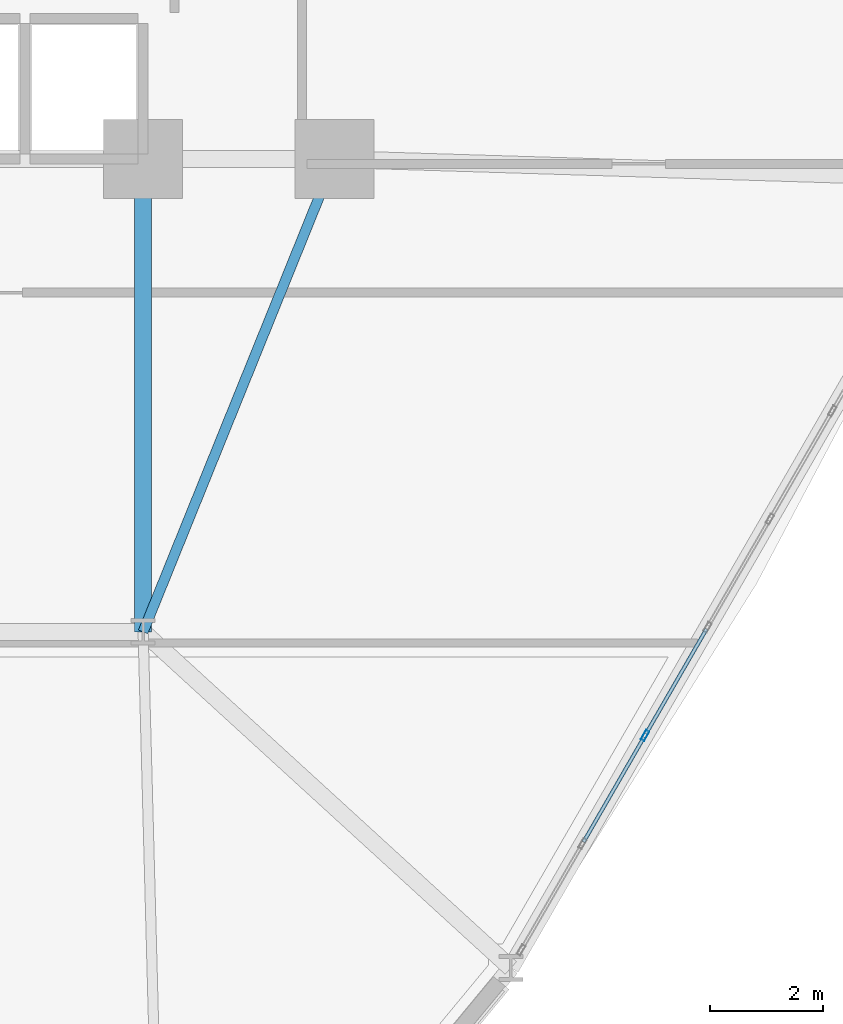
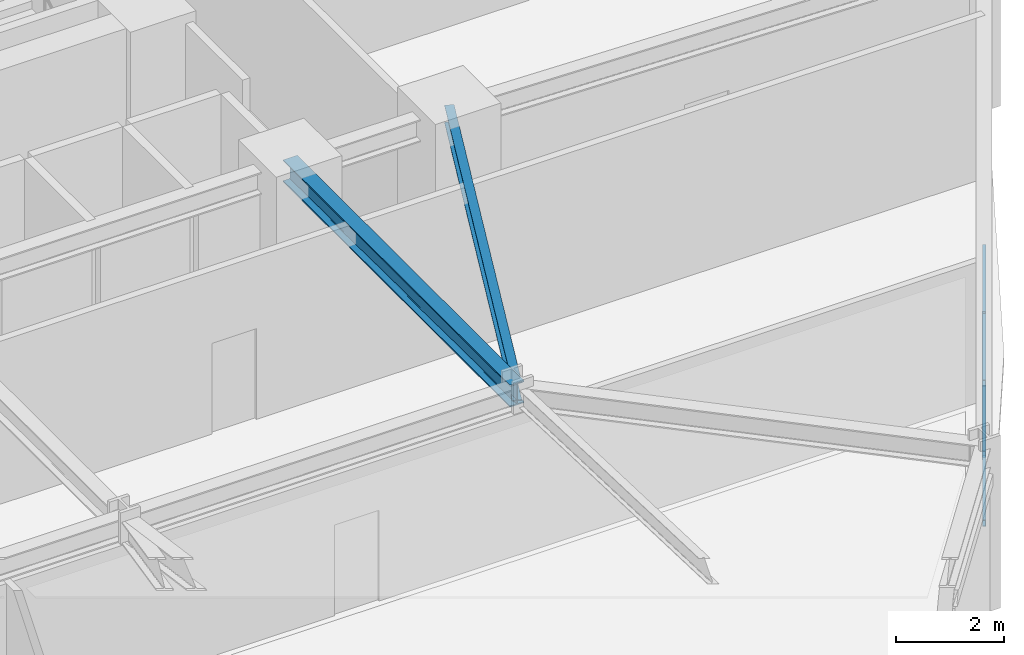
# One storey, part 7 of 21: 5 members, 2 beams, 1 element without a shape of its own.
"""IFC4 building model written with IfcOpenShell, lengths in metres."""

from ifc_helpers import new_model, si_unit, derived_unit, direction, frame, origin, origin_2d, place, context, subcontext, project, spatial, hollow_rectangle, i_section, extrude, source, transform, mapped, material, layer, layer_set, material_profile, profile_set, type_object, element, aggregate, save


model = new_model("IFC4")

# Units and contexts
model_context = context("Model", 3, precision=1e-05, world=origin(), true_north=direction((0.0, 1.0)))
body_context = subcontext(model_context, "Body", "Model", "MODEL_VIEW")
ifc_project = project(units=[si_unit("LENGTHUNIT", "METRE"), si_unit("AREAUNIT", "SQUARE_METRE"), si_unit("VOLUMEUNIT", "CUBIC_METRE"), si_unit("PLANEANGLEUNIT", "RADIAN"), si_unit("MASSUNIT", "GRAM", prefix="KILO"), derived_unit("THERMALTRANSMITTANCEUNIT", [(si_unit("POWERUNIT", "WATT"), 1), (si_unit("LENGTHUNIT", "METRE"), -2), (si_unit("THERMODYNAMICTEMPERATUREUNIT", "KELVIN"), -1)])], contexts=[model_context])

# Site, building, storey
site_placement = place(None, origin())
site = spatial("IfcSite", under=ifc_project, at=site_placement, CompositionType="ELEMENT")
building_placement = place(site_placement, origin())
building = spatial("IfcBuilding", under=site, at=building_placement, Name="Korsvarv Bourse and Concert Hall", CompositionType="ELEMENT")
storey_placement = place(building_placement, frame((0.0, 0.0, 27.89990234375)))
storey = spatial("IfcBuildingStorey", under=building, at=storey_placement, Name="L06", CompositionType="ELEMENT", Elevation=27.89990234375)

# Beams
ifc_material_1 = material(Name="Steel S355", Category="steel")
ifc_material_profile_1 = material_profile(ifc_material_1, i_section(OverallWidth=0.300048828125, OverallDepth=0.5, WebThickness=0.014404296875, FlangeThickness=0.028076171875, FilletRadius=0.02392578125, at=origin_2d()), Name="HEB 500")
ifc_profile_set_1 = profile_set([ifc_material_profile_1], Name="Steel S355")
beam_type_1 = type_object("IfcBeamType", Name="BM-HEB500", PredefinedType="BEAM", material=ifc_profile_set_1)
shared_shape_1 = source(origin(), body_context, "Body", "SweptSolid", [
    extrude(i_section(OverallWidth=0.300048828125, OverallDepth=0.5, WebThickness=0.014404296875, FlangeThickness=0.028076171875, FilletRadius=0.02392578125, at=origin_2d()), origin(), (0.0, 0.0, 1.0), 8.39990234375),
])
beam_1_placement = place(storey_placement, frame((44.39990234375, 24.0, 3.43017578125), z_axis=(0.0, 1.0, 0.0), x_axis=(-1.0, 0.0, 0.0)))
element("IfcBeam", 1, at=beam_1_placement, inside=storey, type_object=beam_type_1, Name="L06 beam B-07", PredefinedType="BEAM", context=body_context, shape_type="MappedRepresentation", body=[
    mapped(shared_shape_1, transform((0.0, 0.0, 0.0), scale=1.0)),
])
ifc_material_profile_2 = material_profile(ifc_material_1, i_section(OverallWidth=0.179931640625, OverallDepth=0.39990234375, WebThickness=0.008544921875, FlangeThickness=0.013427734375, FilletRadius=0.02099609375, at=origin_2d()), Name="IPE 400")
ifc_profile_set_2 = profile_set([ifc_material_profile_2], Name="Steel S355")
beam_type_2 = type_object("IfcBeamType", Name="BM-IPE400", PredefinedType="JOIST", material=ifc_profile_set_2)
shared_shape_2 = source(origin(), body_context, "Body", "SweptSolid", [
    extrude(i_section(OverallWidth=0.179931640625, OverallDepth=0.39990234375, WebThickness=0.008544921875, FlangeThickness=0.013427734375, FilletRadius=0.02099609375, at=origin_2d()), origin(), (0.0, 0.0, 1.0), 9.06201171875),
])
beam_2_placement = place(storey_placement, frame((47.800048828125, 32.39990234375, 3.47998046875), z_axis=(-0.375210394783, -0.926939674222, 0.0), x_axis=(0.926939674222, -0.375210394783, 0.0)))
element("IfcBeam", 2, at=beam_2_placement, inside=storey, type_object=beam_type_2, Name="L06 beam J-05", PredefinedType="JOIST", context=body_context, shape_type="MappedRepresentation", body=[
    mapped(shared_shape_2, transform((0.0, 0.0, 0.0), scale=1.0)),
])

# Curtain wall, members
ifc_material_2 = material(Name="Anodised aluminium and triple low-E glazing", Category="glass")
ifc_layer = layer(ifc_material_2, 0.219970703125)
ifc_layer_set = layer_set([ifc_layer], Name="Anodised aluminium and triple low-E glazing")
curtain_wall_type = type_object("IfcCurtainWallType", Name="CW-SYS-1", PredefinedType="NOTDEFINED", material=ifc_layer_set)
curtain_wall_placement = place(storey_placement, origin())
curtain_wall = element("IfcCurtainWall", 3, at=curtain_wall_placement, inside=storey, type_object=curtain_wall_type, Name="L06 CW1 curtain wall CW-L06-F11", PredefinedType="NOTDEFINED")
ifc_material_3 = material(Name="Extruded aluminium EN AW-6063 T66", Category="aluminium")
ifc_material_profile_3 = material_profile(ifc_material_3, hollow_rectangle(XDim=0.070068359375, YDim=0.18994140625, WallThickness=0.0048828125, at=origin_2d()), Name="ALU-M 70x190")
ifc_profile_set_3 = profile_set([ifc_material_profile_3], Name="Extruded aluminium EN AW-6063 T66")
member_type_1 = type_object("IfcMemberType", Name="CWM-190", PredefinedType="MULLION", material=ifc_profile_set_3)
shared_shape_3 = source(origin(), body_context, "Body", "SweptSolid", [
    extrude(hollow_rectangle(XDim=0.070068359375, YDim=0.18994140625, WallThickness=0.0048828125, at=origin_2d()), origin(), (0.0, 0.0, 1.0), 3.22998046875),
])
member_1_placement = place(storey_placement, frame((53.316650390625, 22.158935546875, 0.0), z_axis=(0.0, 0.0, 1.0), x_axis=(-0.866028517121, 0.499994607504, 0.0)))
member_1 = element("IfcMember", 4, at=member_1_placement, type_object=member_type_1, Name="CW1 mullion 3", PredefinedType="MULLION", context=body_context, shape_type="MappedRepresentation", body=[
    mapped(shared_shape_3, transform((0.0, 0.0, 0.0), scale=1.0)),
])
ifc_material_profile_4 = material_profile(ifc_material_3, hollow_rectangle(XDim=0.06494140625, YDim=0.139892578125, WallThickness=0.00390625, at=origin_2d()), Name="ALU-T 65x140")
ifc_profile_set_4 = profile_set([ifc_material_profile_4], Name="Extruded aluminium EN AW-6063 T66")
member_type_2 = type_object("IfcMemberType", Name="CWT-140", PredefinedType="USERDEFINED", material=ifc_profile_set_4)
shared_shape_4 = source(origin(), body_context, "Body", "SweptSolid", [
    extrude(hollow_rectangle(XDim=0.06494140625, YDim=0.139892578125, WallThickness=0.00390625, at=origin_2d()), origin(), (0.0, 0.0, 1.0), 2.148681640625),
])
member_2_placement = place(storey_placement, frame((52.224609375, 20.267822265625, 0.03271484375), z_axis=(0.500037174102, 0.866003940243, 0.0), x_axis=(-0.866003940243, 0.500037174102, 0.0)))
member_2 = element("IfcMember", 5, at=member_2_placement, type_object=member_type_2, Name="CW1 transom 2.1", ObjectType="TRANSOM", PredefinedType="USERDEFINED", context=body_context, shape_type="MappedRepresentation", body=[
    mapped(shared_shape_4, transform((0.0, 0.0, 0.0), scale=1.0)),
])
member_3_placement = place(storey_placement, frame((52.224609375, 20.267822265625, 3.197509765625), z_axis=(0.500037174102, 0.866003940243, 0.0), x_axis=(-0.866003940243, 0.500037174102, 0.0)))
member_3 = element("IfcMember", 6, at=member_3_placement, type_object=member_type_2, Name="CW1 transom 2.2", ObjectType="TRANSOM", PredefinedType="USERDEFINED", context=body_context, shape_type="MappedRepresentation", body=[
    mapped(shared_shape_4, transform((0.0, 0.0, 0.0), scale=1.0)),
])
member_4_placement = place(storey_placement, frame((53.334228515625, 22.189453125, 0.03271484375), z_axis=(0.500037174102, 0.866003940243, 0.0), x_axis=(-0.866003940243, 0.500037174102, 0.0)))
member_4 = element("IfcMember", 7, at=member_4_placement, type_object=member_type_2, Name="CW1 transom 3.1", ObjectType="TRANSOM", PredefinedType="USERDEFINED", context=body_context, shape_type="MappedRepresentation", body=[
    mapped(shared_shape_4, transform((0.0, 0.0, 0.0), scale=1.0)),
])
member_5_placement = place(storey_placement, frame((53.334228515625, 22.189453125, 3.197509765625), z_axis=(0.500037174102, 0.866003940243, 0.0), x_axis=(-0.866003940243, 0.500037174102, 0.0)))
member_5 = element("IfcMember", 8, at=member_5_placement, type_object=member_type_2, Name="CW1 transom 3.2", ObjectType="TRANSOM", PredefinedType="USERDEFINED", context=body_context, shape_type="MappedRepresentation", body=[
    mapped(shared_shape_4, transform((0.0, 0.0, 0.0), scale=1.0)),
])
aggregate(curtain_wall, [member_1, member_2, member_3, member_4, member_5])

save(model, "model.ifc")
